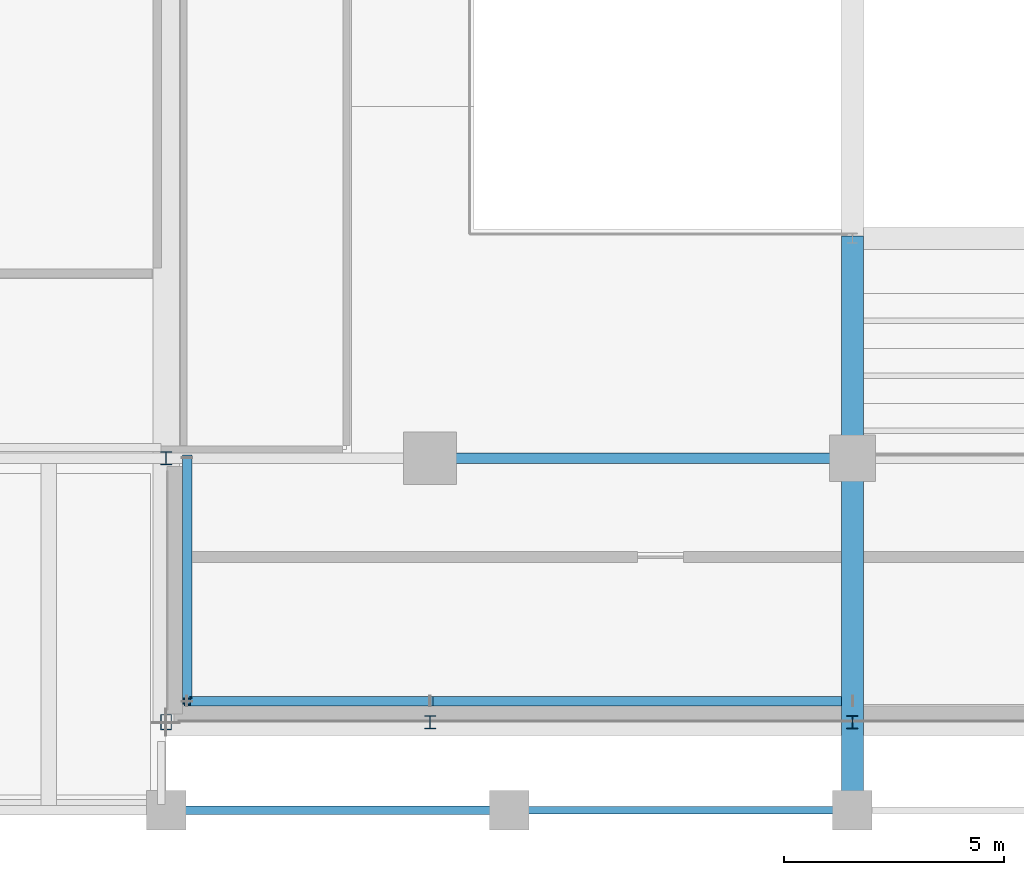
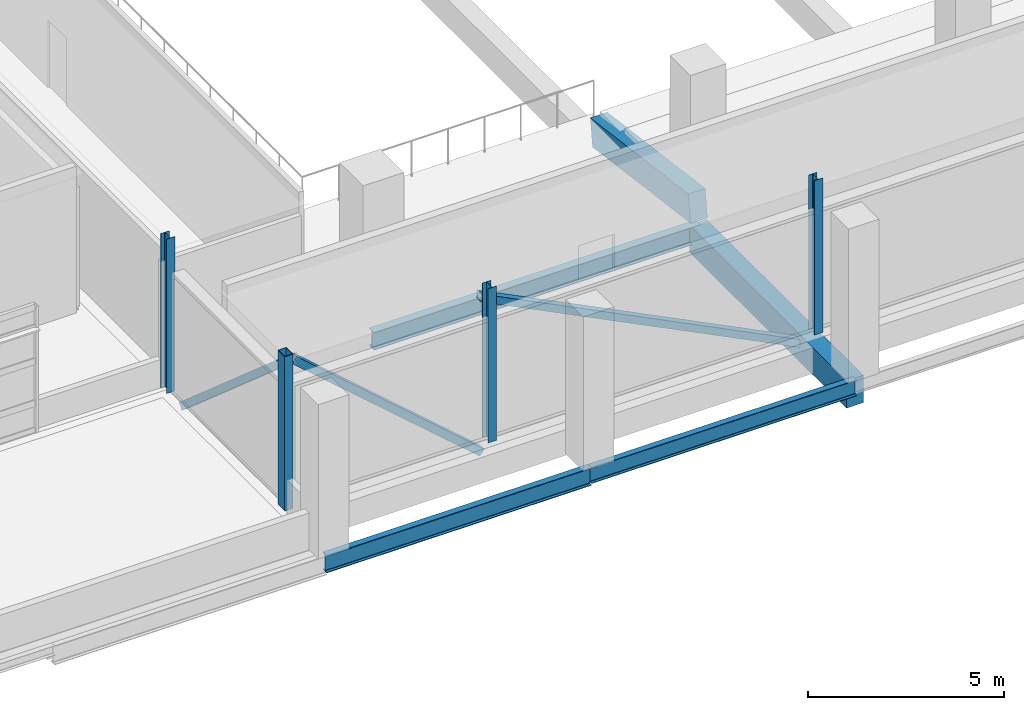
# One storey, part 19 of 102: 8 members, 4 beams.
"""IFC4 building model written with IfcOpenShell, lengths in metres."""

from ifc_helpers import new_model, si_unit, derived_unit, direction, frame, origin, origin_2d, place, context, subcontext, project, spatial, rectangle, hollow_rectangle, i_section, extrude, material, material_profile, profile_set, type_object, element, save


model = new_model("IFC4")

# Units and contexts
model_context = context("Model", 3, precision=1e-05, world=origin(), true_north=direction((0.0, 1.0)))
body_context = subcontext(model_context, "Body", "Model", "MODEL_VIEW")
ifc_project = project(units=[si_unit("LENGTHUNIT", "METRE"), si_unit("AREAUNIT", "SQUARE_METRE"), si_unit("VOLUMEUNIT", "CUBIC_METRE"), si_unit("PLANEANGLEUNIT", "RADIAN"), si_unit("MASSUNIT", "GRAM", prefix="KILO"), derived_unit("THERMALTRANSMITTANCEUNIT", [(si_unit("POWERUNIT", "WATT"), 1), (si_unit("LENGTHUNIT", "METRE"), -2), (si_unit("THERMODYNAMICTEMPERATUREUNIT", "KELVIN"), -1)])], contexts=[model_context])

# Site, building, storey
site_placement = place(None, origin())
site = spatial("IfcSite", under=ifc_project, at=site_placement, CompositionType="ELEMENT")
building_placement = place(site_placement, origin())
building = spatial("IfcBuilding", under=site, at=building_placement, Name="Nallur Shell Playhouse", CompositionType="ELEMENT")
storey_placement = place(building_placement, frame((0.0, 0.0, 15.0)))
storey = spatial("IfcBuildingStorey", under=building, at=storey_placement, Name="L04", CompositionType="ELEMENT", Elevation=15.0)

# Beams
ifc_material_1 = material(Name="Concrete M40", Category="concrete")
ifc_material_profile_1 = material_profile(ifc_material_1, rectangle(XDim=0.5, YDim=0.85009765625, at=origin_2d()), Name="RC 500x850")
ifc_profile_set_1 = profile_set([ifc_material_profile_1], Name="Concrete M40")
beam_type_1 = type_object("IfcBeamType", Name="BM-RC-500x850", PredefinedType="BEAM", material=ifc_profile_set_1)
beam_1_placement = place(storey_placement, frame((79.60009765625, 8.0, -0.68505859375), z_axis=(0.0, 1.0, 0.0), x_axis=(-1.0, 0.0, 0.0)))
element("IfcBeam", 1, at=beam_1_placement, inside=storey, type_object=beam_type_1, Name="L04 girder Y-10-845", PredefinedType="BEAM", context=body_context, shape_type="SweptSolid", body=[
    extrude(rectangle(XDim=0.5, YDim=0.85009765625, at=origin_2d()), origin(), (0.0, 0.0, 1.0), 8.0),
])
ifc_material_2 = material(Name="Steel E350", Category="steel")
ifc_material_profile_2 = material_profile(ifc_material_2, i_section(OverallWidth=0.179931640625, OverallDepth=0.5, WebThickness=0.01025390625, FlangeThickness=0.01708984375, FilletRadius=0.01708984375, at=origin_2d()), Name="ISMB 500")
ifc_profile_set_2 = profile_set([ifc_material_profile_2], Name="Steel E350")
beam_type_2 = type_object("IfcBeamType", Name="BM-ST-ISMB500", PredefinedType="BEAM", material=ifc_profile_set_2)
beam_2_placement = place(storey_placement, frame((71.800048828125, 8.0, -0.510009765625), z_axis=(1.0, 0.0, 0.0), x_axis=(0.0, 1.0, 0.0)))
element("IfcBeam", 2, at=beam_2_placement, inside=storey, type_object=beam_type_2, Name="L04 girder X-A-746", PredefinedType="BEAM", context=body_context, shape_type="SweptSolid", body=[
    extrude(i_section(OverallWidth=0.179931640625, OverallDepth=0.5, WebThickness=0.01025390625, FlangeThickness=0.01708984375, FilletRadius=0.01708984375, at=origin_2d()), origin(), (0.0, 0.0, 1.0), 7.800048828125),
])
ifc_material_profile_3 = material_profile(ifc_material_2, i_section(OverallWidth=0.18994140625, OverallDepth=0.550048828125, WebThickness=0.01123046875, FlangeThickness=0.019287109375, FilletRadius=0.01806640625, at=origin_2d()), Name="ISMB 550")
ifc_profile_set_3 = profile_set([ifc_material_profile_3], Name="Steel E350")
beam_type_3 = type_object("IfcBeamType", Name="BM-ST-ISMB550", PredefinedType="BEAM", material=ifc_profile_set_3)
beam_3_placement = place(storey_placement, frame((64.0, 8.0, -0.534912109375), z_axis=(1.0, 0.0, 0.0), x_axis=(0.0, 1.0, 0.0)))
element("IfcBeam", 3, at=beam_3_placement, inside=storey, type_object=beam_type_3, Name="L04 girder X-A-745", PredefinedType="BEAM", context=body_context, shape_type="SweptSolid", body=[
    extrude(i_section(OverallWidth=0.18994140625, OverallDepth=0.550048828125, WebThickness=0.01123046875, FlangeThickness=0.019287109375, FilletRadius=0.01806640625, at=origin_2d()), origin(), (0.0, 0.0, 1.0), 7.800048828125),
])
ifc_material_profile_4 = material_profile(ifc_material_2, i_section(OverallWidth=0.25, OverallDepth=0.550048828125, WebThickness=0.010498046875, FlangeThickness=0.017578125, FilletRadius=0.01611328125, at=origin_2d()), Name="ISWB 550")
ifc_profile_set_4 = profile_set([ifc_material_profile_4], Name="Steel E350")
beam_type_4 = type_object("IfcBeamType", Name="BM-ST-ISWB550", PredefinedType="BEAM", material=ifc_profile_set_4)
beam_4_placement = place(storey_placement, frame((70.0, 16.0, -0.534912109375), z_axis=(1.0, 0.0, 0.0), x_axis=(0.0, 1.0, 0.0)))
element("IfcBeam", 4, at=beam_4_placement, inside=storey, type_object=beam_type_4, Name="L04 girder X-B-754", PredefinedType="BEAM", context=body_context, shape_type="SweptSolid", body=[
    extrude(i_section(OverallWidth=0.25, OverallDepth=0.550048828125, WebThickness=0.010498046875, FlangeThickness=0.017578125, FilletRadius=0.01611328125, at=origin_2d()), origin(), (0.0, 0.0, 1.0), 9.60009765625),
])

# Members
ifc_material_profile_5 = material_profile(ifc_material_2, i_section(OverallWidth=0.25, OverallDepth=0.300048828125, WebThickness=0.009521484375, FlangeThickness=0.010498046875, FilletRadius=0.010986328125, at=origin_2d()), Name="ISHB 300")
ifc_profile_set_5 = profile_set([ifc_material_profile_5], Name="Steel E350")
member_type_1 = type_object("IfcMemberType", Name="MB-FASCIA-POST", PredefinedType="POST", material=ifc_profile_set_5)
for number, where, z_axis, x_axis, name in (
    (5, (70.0, 10.0, 0.0), (0.0, 0.0, 1.0), (1.0, 0.0, 0.0), "Cantilever truss fascia post POST-GB-L04-02"),
    (6, (79.60009765625, 10.0, 0.0), (0.0, 0.0, 1.0), (1.0, 0.0, 0.0), "Cantilever truss fascia post POST-GB-L04-03"),
    (7, (64.0, 16.0, 0.0), (0.0, 0.0, 1.0), (1.0, 0.0, 0.0), "Cantilever truss fascia post POST-GB-L04-12"),
):
    element("IfcMember", number, at=place(storey_placement, frame(where, z_axis=z_axis, x_axis=x_axis)), inside=storey, type_object=member_type_1, Name=name, PredefinedType="POST", context=body_context, shape_type="SweptSolid", body=[
        extrude(i_section(OverallWidth=0.25, OverallDepth=0.300048828125, WebThickness=0.009521484375, FlangeThickness=0.010498046875, FilletRadius=0.010986328125, at=origin_2d()), origin(), (0.0, 0.0, 1.0), 4.800048828125),
    ])
ifc_material_profile_6 = material_profile(ifc_material_2, hollow_rectangle(XDim=0.25, YDim=0.35009765625, WallThickness=0.01611328125, at=origin_2d()), Name="RHS 350x250x16")
ifc_profile_set_6 = profile_set([ifc_material_profile_6], Name="Steel E350")
member_type_2 = type_object("IfcMemberType", Name="MB-FASCIA-RHS", PredefinedType="POST", material=ifc_profile_set_6)
member_1_placement = place(storey_placement, frame((64.0, 10.0, 0.0), z_axis=(0.0, 0.0, 1.0), x_axis=(1.0, 0.0, 0.0)))
element("IfcMember", 8, at=member_1_placement, inside=storey, type_object=member_type_2, Name="Cantilever truss fascia post POST-GB-L04-01", PredefinedType="POST", context=body_context, shape_type="SweptSolid", body=[
    extrude(hollow_rectangle(XDim=0.25, YDim=0.35009765625, WallThickness=0.01611328125, at=origin_2d()), origin(), (0.0, 0.0, 1.0), 4.800048828125),
])
ifc_material_profile_7 = material_profile(ifc_material_2, hollow_rectangle(XDim=0.219970703125, YDim=0.219970703125, WallThickness=0.011962890625, at=origin_2d()), Name="SHS 220x220x12")
ifc_profile_set_7 = profile_set([ifc_material_profile_7], Name="Steel E350")
member_type_3 = type_object("IfcMemberType", Name="MB-FT-BRACE2", PredefinedType="BRACE", material=ifc_profile_set_7)
for number, where, z_axis, x_axis, name in (
    (9, (64.47998046875, 16.0, -0.659912109375), (0.0, -0.753942534028, 0.656940374298), (1.0, 0.0, 0.0), "Gold box fascia brace L04-1"),
    (10, (70.0, 10.47998046875, -0.659912109375), (-0.753942534028, 0.0, 0.656940374298), (0.0, -1.0, 0.0), "Gold box fascia brace L04-5"),
):
    element("IfcMember", number, at=place(storey_placement, frame(where, z_axis=z_axis, x_axis=x_axis)), inside=storey, type_object=member_type_3, Name=name, PredefinedType="BRACE", context=body_context, shape_type="SweptSolid", body=[
        extrude(hollow_rectangle(XDim=0.219970703125, YDim=0.219970703125, WallThickness=0.011962890625, at=origin_2d()), origin(), (0.0, 0.0, 1.0), 7.321533203125),
    ])
member_2_placement = place(storey_placement, frame((79.60009765625, 10.47998046875, -0.659912109375), z_axis=(-0.894063103562, 0.0, 0.44794103055), x_axis=(0.0, -1.0, 0.0)))
element("IfcMember", 11, at=member_2_placement, inside=storey, type_object=member_type_3, Name="Gold box fascia brace L04-6", PredefinedType="BRACE", context=body_context, shape_type="SweptSolid", body=[
    extrude(hollow_rectangle(XDim=0.219970703125, YDim=0.219970703125, WallThickness=0.011962890625, at=origin_2d()), origin(), (0.0, 0.0, 1.0), 10.737548828125),
])
ifc_material_profile_8 = material_profile(ifc_material_1, rectangle(XDim=0.5, YDim=0.85009765625, at=origin_2d()), Name="RC 500x850")
ifc_profile_set_8 = profile_set([ifc_material_profile_8], Name="Concrete M40")
member_type_4 = type_object("IfcMemberType", Name="MB-RAKER-RC", PredefinedType="STRINGER", material=ifc_profile_set_8)
member_3_placement = place(storey_placement, frame((79.60009765625, 21.0, -0.4150390625), z_axis=(0.0, -0.991396200209, 0.130895279559), x_axis=(1.0, 0.0, 0.0)))
element("IfcMember", 12, at=member_3_placement, inside=storey, type_object=member_type_4, Name="Auditorium raker beam UPPER RAKER 1", PredefinedType="STRINGER", context=body_context, shape_type="SweptSolid", body=[
    extrude(rectangle(XDim=0.5, YDim=0.85009765625, at=origin_2d()), origin(), (0.0, 0.0, 1.0), 5.04345703125),
])

save(model, "model.ifc")
